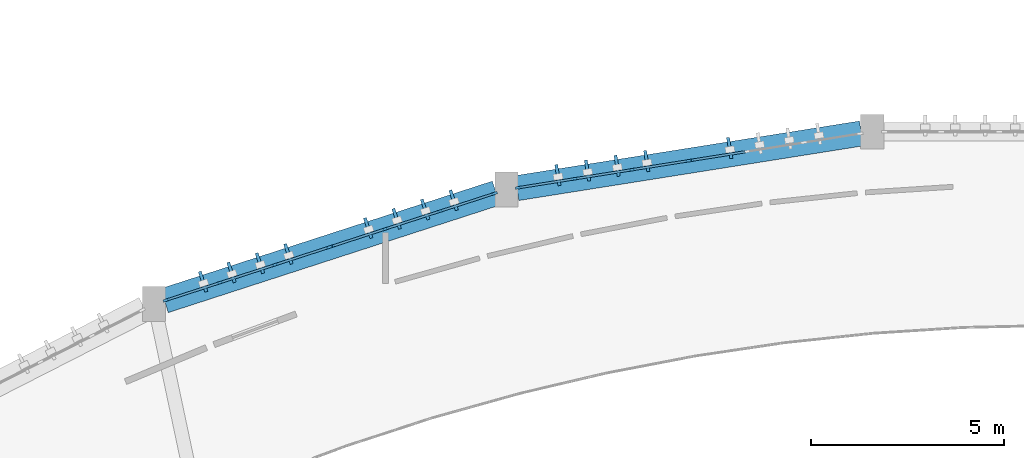
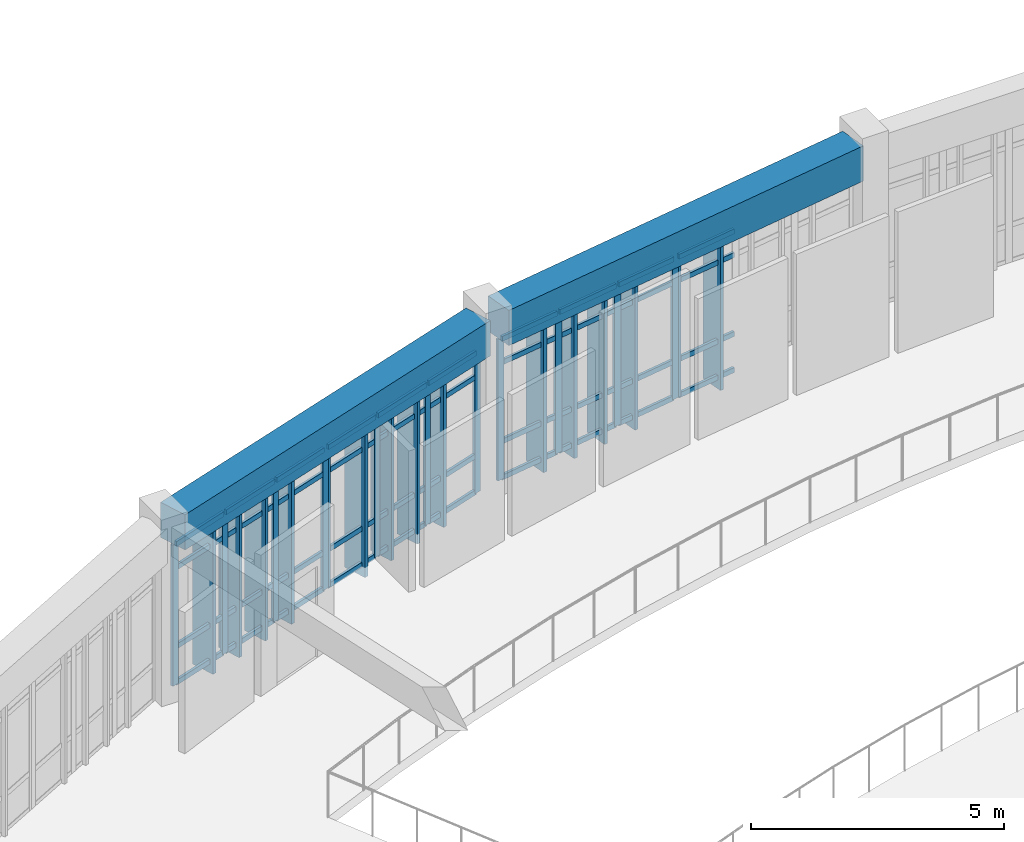
# One storey, part 19 of 57: 66 members, 2 beams, 4 elements without a shape of their own.
"""IFC4 building model written with IfcOpenShell, lengths in metres."""

from ifc_helpers import new_model, si_unit, direction, frame, origin, origin_2d, place, context, subcontext, project, spatial, rectangle, extrude, material, layer, layer_set, material_profile, profile_set, type_object, element, aggregate, save


model = new_model("IFC4")

# Units and contexts
model_context = context("Model", 3, precision=1e-05, world=origin(), true_north=direction((0.0, 1.0)))
body_context = subcontext(model_context, "Body", "Model", "MODEL_VIEW")
ifc_project = project(units=[si_unit("LENGTHUNIT", "METRE"), si_unit("AREAUNIT", "SQUARE_METRE"), si_unit("VOLUMEUNIT", "CUBIC_METRE"), si_unit("PLANEANGLEUNIT", "RADIAN"), si_unit("MASSUNIT", "GRAM", prefix="KILO")], contexts=[model_context])

# Site, building, storey
site_placement = place(None, origin())
site = spatial("IfcSite", under=ifc_project, at=site_placement, CompositionType="ELEMENT")
building_placement = place(site_placement, origin())
building = spatial("IfcBuilding", under=site, at=building_placement, Name="Miralva Faculty of Natural Sciences", CompositionType="ELEMENT")
storey_placement = place(building_placement, frame((0.0, 0.0, 15.0)))
storey = spatial("IfcBuildingStorey", under=building, at=storey_placement, Name="L03", CompositionType="ELEMENT", Elevation=15.0)

# Beams
ifc_material_1 = material(Name="Concrete C40/50", Category="concrete")
ifc_material_profile_1 = material_profile(ifc_material_1, rectangle(XDim=0.64990234375, YDim=0.85009765625, at=origin_2d()), Name="RC 650x850")
ifc_profile_set_1 = profile_set([ifc_material_profile_1], Name="Concrete C40/50")
beam_type = type_object("IfcBeamType", Name="BM-SP03", PredefinedType="SPANDREL", material=ifc_profile_set_1)
beam_1_placement = place(storey_placement, frame((84.9375, 39.7666015625, 3.8349609375), z_axis=(-0.987637724409, -0.156753709124, 0.0), x_axis=(0.156753709124, -0.987637724409, 0.0)))
element("IfcBeam", 1, at=beam_1_placement, inside=storey, type_object=beam_type, Name="Curved chord girder SHOUT L03-6", PredefinedType="SPANDREL", context=body_context, shape_type="SweptSolid", body=[
    extrude(rectangle(XDim=0.64990234375, YDim=0.85009765625, at=origin_2d()), origin(), (0.0, 0.0, 1.0), 9.016357421875),
])
beam_2_placement = place(storey_placement, frame((75.49755859375, 38.224853515625, 3.8349609375), z_axis=(-0.951264483171, -0.30837620378, 0.0), x_axis=(0.30837620378, -0.951264483171, 0.0)))
element("IfcBeam", 2, at=beam_2_placement, inside=storey, type_object=beam_type, Name="Curved chord girder SHOUT L03-7", PredefinedType="SPANDREL", context=body_context, shape_type="SweptSolid", body=[
    extrude(rectangle(XDim=0.64990234375, YDim=0.85009765625, at=origin_2d()), origin(), (0.0, 0.0, 1.0), 9.01416015625),
])

# Curtain wall, members
ifc_material_2 = material(Name="Laminated solar-control glass", Category="glass")
ifc_layer = layer(ifc_material_2, 0.179931640625, Name="CW-ARC-L03")
ifc_layer_set = layer_set([ifc_layer], Name="Laminated solar-control glass")
curtain_wall_type = type_object("IfcCurtainWallType", Name="CW-ARC-L03", PredefinedType="USERDEFINED", material=ifc_layer_set)
curtain_wall_1_placement = place(storey_placement, origin())
curtain_wall_1 = element("IfcCurtainWall", 3, at=curtain_wall_1_placement, inside=storey, type_object=curtain_wall_type, Name="Curtain wall CW-03 L03-129", ObjectType="UNITISED CURTAIN WALL", PredefinedType="USERDEFINED")
ifc_material_3 = material(Name="Anodised aluminium", Category="aluminium")
ifc_material_profile_2 = material_profile(ifc_material_3, rectangle(XDim=0.06494140625, YDim=0.159912109375, at=origin_2d()), Name="MULLION 65x160")
ifc_profile_set_2 = profile_set([ifc_material_profile_2], Name="Anodised aluminium")
member_type_1 = type_object("IfcMemberType", Name="CW-M02", PredefinedType="MULLION", material=ifc_profile_set_2)
member_1_placement = place(storey_placement, frame((66.9677734375, 35.457763671875, 0.0), z_axis=(0.0, 0.0, 1.0), x_axis=(-0.309011053363, 0.951058446626, 0.0)))
member_1 = element("IfcMember", 4, at=member_1_placement, type_object=member_type_1, Name="CW-03 mullion 1", PredefinedType="MULLION", context=body_context, shape_type="SweptSolid", body=[
    extrude(rectangle(XDim=0.06494140625, YDim=0.159912109375, at=origin_2d()), origin(), (0.0, 0.0, 1.0), 3.405029296875),
])
member_2_placement = place(storey_placement, frame((68.360595703125, 35.910400390625, 0.0), z_axis=(0.0, 0.0, 1.0), x_axis=(-0.309011053363, 0.951058446626, 0.0)))
member_2 = element("IfcMember", 5, at=member_2_placement, type_object=member_type_1, Name="CW-03 mullion 2", PredefinedType="MULLION", context=body_context, shape_type="SweptSolid", body=[
    extrude(rectangle(XDim=0.06494140625, YDim=0.159912109375, at=origin_2d()), origin(), (0.0, 0.0, 1.0), 3.405029296875),
])
member_3_placement = place(storey_placement, frame((69.784423828125, 36.373046875, 0.0), z_axis=(0.0, 0.0, 1.0), x_axis=(-0.309011053363, 0.951058446626, 0.0)))
member_3 = element("IfcMember", 6, at=member_3_placement, type_object=member_type_1, Name="CW-03 mullion 3", PredefinedType="MULLION", context=body_context, shape_type="SweptSolid", body=[
    extrude(rectangle(XDim=0.06494140625, YDim=0.159912109375, at=origin_2d()), origin(), (0.0, 0.0, 1.0), 3.405029296875),
])
member_4_placement = place(storey_placement, frame((71.17724609375, 36.825439453125, 0.0), z_axis=(0.0, 0.0, 1.0), x_axis=(-0.309011053363, 0.951058446626, 0.0)))
member_4 = element("IfcMember", 7, at=member_4_placement, type_object=member_type_1, Name="CW-03 mullion 4", PredefinedType="MULLION", context=body_context, shape_type="SweptSolid", body=[
    extrude(rectangle(XDim=0.06494140625, YDim=0.159912109375, at=origin_2d()), origin(), (0.0, 0.0, 1.0), 3.405029296875),
])

curtain_wall_2_placement = place(storey_placement, origin())
curtain_wall_2 = element("IfcCurtainWall", 8, at=curtain_wall_2_placement, inside=storey, type_object=curtain_wall_type, Name="Curtain wall CW-03 L03-130", ObjectType="UNITISED CURTAIN WALL", PredefinedType="USERDEFINED")
member_5_placement = place(storey_placement, frame((71.234130859375, 36.84423828125, 0.0), z_axis=(0.0, 0.0, 1.0), x_axis=(-0.309005603375, 0.95106021738, 0.0)))
member_5 = element("IfcMember", 9, at=member_5_placement, type_object=member_type_1, Name="CW-03 mullion 1", PredefinedType="MULLION", context=body_context, shape_type="SweptSolid", body=[
    extrude(rectangle(XDim=0.06494140625, YDim=0.159912109375, at=origin_2d()), origin(), (0.0, 0.0, 1.0), 3.405029296875),
])
member_6_placement = place(storey_placement, frame((72.628662109375, 37.297119140625, 0.0), z_axis=(0.0, 0.0, 1.0), x_axis=(-0.309005603375, 0.95106021738, 0.0)))
member_6 = element("IfcMember", 10, at=member_6_placement, type_object=member_type_1, Name="CW-03 mullion 2", PredefinedType="MULLION", context=body_context, shape_type="SweptSolid", body=[
    extrude(rectangle(XDim=0.06494140625, YDim=0.159912109375, at=origin_2d()), origin(), (0.0, 0.0, 1.0), 3.405029296875),
])
member_7_placement = place(storey_placement, frame((74.053955078125, 37.76025390625, 0.0), z_axis=(0.0, 0.0, 1.0), x_axis=(-0.309005603375, 0.95106021738, 0.0)))
member_7 = element("IfcMember", 11, at=member_7_placement, type_object=member_type_1, Name="CW-03 mullion 3", PredefinedType="MULLION", context=body_context, shape_type="SweptSolid", body=[
    extrude(rectangle(XDim=0.06494140625, YDim=0.159912109375, at=origin_2d()), origin(), (0.0, 0.0, 1.0), 3.405029296875),
])
member_8_placement = place(storey_placement, frame((75.448486328125, 38.21337890625, 0.0), z_axis=(0.0, 0.0, 1.0), x_axis=(-0.309005603375, 0.95106021738, 0.0)))
member_8 = element("IfcMember", 12, at=member_8_placement, type_object=member_type_1, Name="CW-03 mullion 4", PredefinedType="MULLION", context=body_context, shape_type="SweptSolid", body=[
    extrude(rectangle(XDim=0.06494140625, YDim=0.159912109375, at=origin_2d()), origin(), (0.0, 0.0, 1.0), 3.405029296875),
])

curtain_wall_3_placement = place(storey_placement, origin())
curtain_wall_3 = element("IfcCurtainWall", 13, at=curtain_wall_3_placement, inside=storey, type_object=curtain_wall_type, Name="Curtain wall CW-03 L03-131", ObjectType="UNITISED CURTAIN WALL", PredefinedType="USERDEFINED")
member_9_placement = place(storey_placement, frame((76.073486328125, 38.3642578125, 0.0), z_axis=(0.0, 0.0, 1.0), x_axis=(-0.156431459367, 0.987688816642, 0.0)))
member_9 = element("IfcMember", 14, at=member_9_placement, type_object=member_type_1, Name="CW-03 mullion 1", PredefinedType="MULLION", context=body_context, shape_type="SweptSolid", body=[
    extrude(rectangle(XDim=0.06494140625, YDim=0.159912109375, at=origin_2d()), origin(), (0.0, 0.0, 1.0), 3.405029296875),
])
member_10_placement = place(storey_placement, frame((77.523193359375, 38.593994140625, 0.0), z_axis=(0.0, 0.0, 1.0), x_axis=(-0.156431459367, 0.987688816642, 0.0)))
member_10 = element("IfcMember", 15, at=member_10_placement, type_object=member_type_1, Name="CW-03 mullion 2", PredefinedType="MULLION", context=body_context, shape_type="SweptSolid", body=[
    extrude(rectangle(XDim=0.06494140625, YDim=0.159912109375, at=origin_2d()), origin(), (0.0, 0.0, 1.0), 3.405029296875),
])
member_11_placement = place(storey_placement, frame((79.005126953125, 38.82861328125, 0.0), z_axis=(0.0, 0.0, 1.0), x_axis=(-0.156431459367, 0.987688816642, 0.0)))
member_11 = element("IfcMember", 16, at=member_11_placement, type_object=member_type_1, Name="CW-03 mullion 3", PredefinedType="MULLION", context=body_context, shape_type="SweptSolid", body=[
    extrude(rectangle(XDim=0.06494140625, YDim=0.159912109375, at=origin_2d()), origin(), (0.0, 0.0, 1.0), 3.405029296875),
])
member_12_placement = place(storey_placement, frame((80.454833984375, 39.05810546875, 0.0), z_axis=(0.0, 0.0, 1.0), x_axis=(-0.156431459367, 0.987688816642, 0.0)))
member_12 = element("IfcMember", 17, at=member_12_placement, type_object=member_type_1, Name="CW-03 mullion 4", PredefinedType="MULLION", context=body_context, shape_type="SweptSolid", body=[
    extrude(rectangle(XDim=0.06494140625, YDim=0.159912109375, at=origin_2d()), origin(), (0.0, 0.0, 1.0), 3.405029296875),
])

# Curtain wall, member
curtain_wall_4_placement = place(storey_placement, origin())
curtain_wall_4 = element("IfcCurtainWall", 18, at=curtain_wall_4_placement, inside=storey, type_object=curtain_wall_type, Name="Curtain wall CW-03 L03-132", ObjectType="UNITISED CURTAIN WALL", PredefinedType="USERDEFINED")
member_13_placement = place(storey_placement, frame((80.51416015625, 39.067626953125, 0.0), z_axis=(0.0, 0.0, 1.0), x_axis=(-0.156414990722, 0.987691424827, 0.0)))
member_13 = element("IfcMember", 19, at=member_13_placement, type_object=member_type_1, Name="CW-03 mullion 1", PredefinedType="MULLION", context=body_context, shape_type="SweptSolid", body=[
    extrude(rectangle(XDim=0.06494140625, YDim=0.159912109375, at=origin_2d()), origin(), (0.0, 0.0, 1.0), 3.405029296875),
])

# Member
ifc_material_profile_3 = material_profile(ifc_material_3, rectangle(XDim=0.06005859375, YDim=0.1201171875, at=origin_2d()), Name="TRANSOM 60x120")
ifc_profile_set_3 = profile_set([ifc_material_profile_3], Name="Anodised aluminium")
member_type_2 = type_object("IfcMemberType", Name="CW-T02", PredefinedType="USERDEFINED", material=ifc_profile_set_3)
member_14_placement = place(storey_placement, frame((66.99853515625, 35.4677734375, 0.030029296875), z_axis=(0.951028941009, 0.309101849499, 0.0), x_axis=(-0.309101849499, 0.951028941009, 0.0)))
member_14 = element("IfcMember", 20, at=member_14_placement, type_object=member_type_2, Name="CW-03 transom 1.1", ObjectType="TRANSOM", PredefinedType="USERDEFINED", context=body_context, shape_type="SweptSolid", body=[
    extrude(rectangle(XDim=0.06005859375, YDim=0.1201171875, at=origin_2d()), origin(), (0.0, 0.0, 1.0), 1.399658203125),
])

member_15_placement = place(storey_placement, frame((66.99853515625, 35.4677734375, 0.89990234375), z_axis=(0.951028941009, 0.309101849499, 0.0), x_axis=(-0.309101849499, 0.951028941009, 0.0)))
member_15 = element("IfcMember", 21, at=member_15_placement, type_object=member_type_2, Name="CW-03 transom 1.2", ObjectType="TRANSOM", PredefinedType="USERDEFINED", context=body_context, shape_type="SweptSolid", body=[
    extrude(rectangle(XDim=0.06005859375, YDim=0.1201171875, at=origin_2d()), origin(), (0.0, 0.0, 1.0), 1.399658203125),
])

member_16_placement = place(storey_placement, frame((66.99853515625, 35.4677734375, 2.804931640625), z_axis=(0.951028941009, 0.309101849499, 0.0), x_axis=(-0.309101849499, 0.951028941009, 0.0)))
member_16 = element("IfcMember", 22, at=member_16_placement, type_object=member_type_2, Name="CW-03 transom 1.3", ObjectType="TRANSOM", PredefinedType="USERDEFINED", context=body_context, shape_type="SweptSolid", body=[
    extrude(rectangle(XDim=0.06005859375, YDim=0.1201171875, at=origin_2d()), origin(), (0.0, 0.0, 1.0), 1.399658203125),
])

member_17_placement = place(storey_placement, frame((66.99853515625, 35.4677734375, 3.375), z_axis=(0.951028941009, 0.309101849499, 0.0), x_axis=(-0.309101849499, 0.951028941009, 0.0)))
member_17 = element("IfcMember", 23, at=member_17_placement, type_object=member_type_2, Name="CW-03 transom 1.4", ObjectType="TRANSOM", PredefinedType="USERDEFINED", context=body_context, shape_type="SweptSolid", body=[
    extrude(rectangle(XDim=0.06005859375, YDim=0.1201171875, at=origin_2d()), origin(), (0.0, 0.0, 1.0), 1.399658203125),
])

member_18_placement = place(storey_placement, frame((68.391357421875, 35.92041015625, 0.030029296875), z_axis=(0.951042837494, 0.309059090227, 0.0), x_axis=(-0.309059090227, 0.951042837494, 0.0)))
member_18 = element("IfcMember", 24, at=member_18_placement, type_object=member_type_2, Name="CW-03 transom 2.1", ObjectType="TRANSOM", PredefinedType="USERDEFINED", context=body_context, shape_type="SweptSolid", body=[
    extrude(rectangle(XDim=0.06005859375, YDim=0.1201171875, at=origin_2d()), origin(), (0.0, 0.0, 1.0), 1.43212890625),
])

member_19_placement = place(storey_placement, frame((68.391357421875, 35.92041015625, 0.89990234375), z_axis=(0.951042837494, 0.309059090227, 0.0), x_axis=(-0.309059090227, 0.951042837494, 0.0)))
member_19 = element("IfcMember", 25, at=member_19_placement, type_object=member_type_2, Name="CW-03 transom 2.2", ObjectType="TRANSOM", PredefinedType="USERDEFINED", context=body_context, shape_type="SweptSolid", body=[
    extrude(rectangle(XDim=0.06005859375, YDim=0.1201171875, at=origin_2d()), origin(), (0.0, 0.0, 1.0), 1.43212890625),
])

member_20_placement = place(storey_placement, frame((68.391357421875, 35.92041015625, 2.804931640625), z_axis=(0.951042837494, 0.309059090227, 0.0), x_axis=(-0.309059090227, 0.951042837494, 0.0)))
member_20 = element("IfcMember", 26, at=member_20_placement, type_object=member_type_2, Name="CW-03 transom 2.3", ObjectType="TRANSOM", PredefinedType="USERDEFINED", context=body_context, shape_type="SweptSolid", body=[
    extrude(rectangle(XDim=0.06005859375, YDim=0.1201171875, at=origin_2d()), origin(), (0.0, 0.0, 1.0), 1.43212890625),
])

member_21_placement = place(storey_placement, frame((68.391357421875, 35.92041015625, 3.375), z_axis=(0.951042837494, 0.309059090227, 0.0), x_axis=(-0.309059090227, 0.951042837494, 0.0)))
member_21 = element("IfcMember", 27, at=member_21_placement, type_object=member_type_2, Name="CW-03 transom 2.4", ObjectType="TRANSOM", PredefinedType="USERDEFINED", context=body_context, shape_type="SweptSolid", body=[
    extrude(rectangle(XDim=0.06005859375, YDim=0.1201171875, at=origin_2d()), origin(), (0.0, 0.0, 1.0), 1.43212890625),
])

member_22_placement = place(storey_placement, frame((69.815185546875, 36.383056640625, 0.030029296875), z_axis=(0.951080208938, 0.308944066403, 0.0), x_axis=(-0.308944066403, 0.951080208938, 0.0)))
member_22 = element("IfcMember", 28, at=member_22_placement, type_object=member_type_2, Name="CW-03 transom 3.1", ObjectType="TRANSOM", PredefinedType="USERDEFINED", context=body_context, shape_type="SweptSolid", body=[
    extrude(rectangle(XDim=0.06005859375, YDim=0.1201171875, at=origin_2d()), origin(), (0.0, 0.0, 1.0), 1.3994140625),
])

member_23_placement = place(storey_placement, frame((69.815185546875, 36.383056640625, 0.89990234375), z_axis=(0.951080208938, 0.308944066403, 0.0), x_axis=(-0.308944066403, 0.951080208938, 0.0)))
member_23 = element("IfcMember", 29, at=member_23_placement, type_object=member_type_2, Name="CW-03 transom 3.2", ObjectType="TRANSOM", PredefinedType="USERDEFINED", context=body_context, shape_type="SweptSolid", body=[
    extrude(rectangle(XDim=0.06005859375, YDim=0.1201171875, at=origin_2d()), origin(), (0.0, 0.0, 1.0), 1.3994140625),
])

member_24_placement = place(storey_placement, frame((69.815185546875, 36.383056640625, 2.804931640625), z_axis=(0.951080208938, 0.308944066403, 0.0), x_axis=(-0.308944066403, 0.951080208938, 0.0)))
member_24 = element("IfcMember", 30, at=member_24_placement, type_object=member_type_2, Name="CW-03 transom 3.3", ObjectType="TRANSOM", PredefinedType="USERDEFINED", context=body_context, shape_type="SweptSolid", body=[
    extrude(rectangle(XDim=0.06005859375, YDim=0.1201171875, at=origin_2d()), origin(), (0.0, 0.0, 1.0), 1.3994140625),
])

member_25_placement = place(storey_placement, frame((69.815185546875, 36.383056640625, 3.375), z_axis=(0.951080208938, 0.308944066403, 0.0), x_axis=(-0.308944066403, 0.951080208938, 0.0)))
member_25 = element("IfcMember", 31, at=member_25_placement, type_object=member_type_2, Name="CW-03 transom 3.4", ObjectType="TRANSOM", PredefinedType="USERDEFINED", context=body_context, shape_type="SweptSolid", body=[
    extrude(rectangle(XDim=0.06005859375, YDim=0.1201171875, at=origin_2d()), origin(), (0.0, 0.0, 1.0), 1.3994140625),
])

aggregate(curtain_wall_1, [member_1, member_2, member_3, member_4, member_14, member_15, member_16, member_17, member_18, member_19, member_20, member_21, member_22, member_23, member_24, member_25])

member_26_placement = place(storey_placement, frame((71.26513671875, 36.854248046875, 0.030029296875), z_axis=(0.951077598136, 0.308952103608, 0.0), x_axis=(-0.308952103608, 0.951077598136, 0.0)))
member_26 = element("IfcMember", 32, at=member_26_placement, type_object=member_type_2, Name="CW-03 transom 1.1", ObjectType="TRANSOM", PredefinedType="USERDEFINED", context=body_context, shape_type="SweptSolid", body=[
    extrude(rectangle(XDim=0.06005859375, YDim=0.1201171875, at=origin_2d()), origin(), (0.0, 0.0, 1.0), 1.401123046875),
])

member_27_placement = place(storey_placement, frame((71.26513671875, 36.854248046875, 0.89990234375), z_axis=(0.951077598136, 0.308952103608, 0.0), x_axis=(-0.308952103608, 0.951077598136, 0.0)))
member_27 = element("IfcMember", 33, at=member_27_placement, type_object=member_type_2, Name="CW-03 transom 1.2", ObjectType="TRANSOM", PredefinedType="USERDEFINED", context=body_context, shape_type="SweptSolid", body=[
    extrude(rectangle(XDim=0.06005859375, YDim=0.1201171875, at=origin_2d()), origin(), (0.0, 0.0, 1.0), 1.401123046875),
])

member_28_placement = place(storey_placement, frame((71.26513671875, 36.854248046875, 2.804931640625), z_axis=(0.951077598136, 0.308952103608, 0.0), x_axis=(-0.308952103608, 0.951077598136, 0.0)))
member_28 = element("IfcMember", 34, at=member_28_placement, type_object=member_type_2, Name="CW-03 transom 1.3", ObjectType="TRANSOM", PredefinedType="USERDEFINED", context=body_context, shape_type="SweptSolid", body=[
    extrude(rectangle(XDim=0.06005859375, YDim=0.1201171875, at=origin_2d()), origin(), (0.0, 0.0, 1.0), 1.401123046875),
])

member_29_placement = place(storey_placement, frame((71.26513671875, 36.854248046875, 3.375), z_axis=(0.951077598136, 0.308952103608, 0.0), x_axis=(-0.308952103608, 0.951077598136, 0.0)))
member_29 = element("IfcMember", 35, at=member_29_placement, type_object=member_type_2, Name="CW-03 transom 1.4", ObjectType="TRANSOM", PredefinedType="USERDEFINED", context=body_context, shape_type="SweptSolid", body=[
    extrude(rectangle(XDim=0.06005859375, YDim=0.1201171875, at=origin_2d()), origin(), (0.0, 0.0, 1.0), 1.401123046875),
])

member_30_placement = place(storey_placement, frame((72.659423828125, 37.30712890625, 0.030029296875), z_axis=(0.951040325466, 0.309066820183, 0.0), x_axis=(-0.309066820183, 0.951040325466, 0.0)))
member_30 = element("IfcMember", 36, at=member_30_placement, type_object=member_type_2, Name="CW-03 transom 2.1", ObjectType="TRANSOM", PredefinedType="USERDEFINED", context=body_context, shape_type="SweptSolid", body=[
    extrude(rectangle(XDim=0.06005859375, YDim=0.1201171875, at=origin_2d()), origin(), (0.0, 0.0, 1.0), 1.433837890625),
])

member_31_placement = place(storey_placement, frame((72.659423828125, 37.30712890625, 0.89990234375), z_axis=(0.951040325466, 0.309066820183, 0.0), x_axis=(-0.309066820183, 0.951040325466, 0.0)))
member_31 = element("IfcMember", 37, at=member_31_placement, type_object=member_type_2, Name="CW-03 transom 2.2", ObjectType="TRANSOM", PredefinedType="USERDEFINED", context=body_context, shape_type="SweptSolid", body=[
    extrude(rectangle(XDim=0.06005859375, YDim=0.1201171875, at=origin_2d()), origin(), (0.0, 0.0, 1.0), 1.433837890625),
])

member_32_placement = place(storey_placement, frame((72.659423828125, 37.30712890625, 2.804931640625), z_axis=(0.951040325466, 0.309066820183, 0.0), x_axis=(-0.309066820183, 0.951040325466, 0.0)))
member_32 = element("IfcMember", 38, at=member_32_placement, type_object=member_type_2, Name="CW-03 transom 2.3", ObjectType="TRANSOM", PredefinedType="USERDEFINED", context=body_context, shape_type="SweptSolid", body=[
    extrude(rectangle(XDim=0.06005859375, YDim=0.1201171875, at=origin_2d()), origin(), (0.0, 0.0, 1.0), 1.433837890625),
])

member_33_placement = place(storey_placement, frame((72.659423828125, 37.30712890625, 3.375), z_axis=(0.951040325466, 0.309066820183, 0.0), x_axis=(-0.309066820183, 0.951040325466, 0.0)))
member_33 = element("IfcMember", 39, at=member_33_placement, type_object=member_type_2, Name="CW-03 transom 2.4", ObjectType="TRANSOM", PredefinedType="USERDEFINED", context=body_context, shape_type="SweptSolid", body=[
    extrude(rectangle(XDim=0.06005859375, YDim=0.1201171875, at=origin_2d()), origin(), (0.0, 0.0, 1.0), 1.433837890625),
])

member_34_placement = place(storey_placement, frame((74.0849609375, 37.770263671875, 0.030029296875), z_axis=(0.951026385526, 0.309109711968, 0.0), x_axis=(-0.309109711968, 0.951026385526, 0.0)))
member_34 = element("IfcMember", 40, at=member_34_placement, type_object=member_type_2, Name="CW-03 transom 3.1", ObjectType="TRANSOM", PredefinedType="USERDEFINED", context=body_context, shape_type="SweptSolid", body=[
    extrude(rectangle(XDim=0.06005859375, YDim=0.1201171875, at=origin_2d()), origin(), (0.0, 0.0, 1.0), 1.401123046875),
])

member_35_placement = place(storey_placement, frame((74.0849609375, 37.770263671875, 0.89990234375), z_axis=(0.951026385526, 0.309109711968, 0.0), x_axis=(-0.309109711968, 0.951026385526, 0.0)))
member_35 = element("IfcMember", 41, at=member_35_placement, type_object=member_type_2, Name="CW-03 transom 3.2", ObjectType="TRANSOM", PredefinedType="USERDEFINED", context=body_context, shape_type="SweptSolid", body=[
    extrude(rectangle(XDim=0.06005859375, YDim=0.1201171875, at=origin_2d()), origin(), (0.0, 0.0, 1.0), 1.401123046875),
])

member_36_placement = place(storey_placement, frame((74.0849609375, 37.770263671875, 2.804931640625), z_axis=(0.951026385526, 0.309109711968, 0.0), x_axis=(-0.309109711968, 0.951026385526, 0.0)))
member_36 = element("IfcMember", 42, at=member_36_placement, type_object=member_type_2, Name="CW-03 transom 3.3", ObjectType="TRANSOM", PredefinedType="USERDEFINED", context=body_context, shape_type="SweptSolid", body=[
    extrude(rectangle(XDim=0.06005859375, YDim=0.1201171875, at=origin_2d()), origin(), (0.0, 0.0, 1.0), 1.401123046875),
])

member_37_placement = place(storey_placement, frame((74.0849609375, 37.770263671875, 3.375), z_axis=(0.951026385526, 0.309109711968, 0.0), x_axis=(-0.309109711968, 0.951026385526, 0.0)))
member_37 = element("IfcMember", 43, at=member_37_placement, type_object=member_type_2, Name="CW-03 transom 3.4", ObjectType="TRANSOM", PredefinedType="USERDEFINED", context=body_context, shape_type="SweptSolid", body=[
    extrude(rectangle(XDim=0.06005859375, YDim=0.1201171875, at=origin_2d()), origin(), (0.0, 0.0, 1.0), 1.401123046875),
])

aggregate(curtain_wall_2, [member_5, member_6, member_7, member_8, member_26, member_27, member_28, member_29, member_30, member_31, member_32, member_33, member_34, member_35, member_36, member_37])

member_38_placement = place(storey_placement, frame((76.10546875, 38.369384765625, 0.030029296875), z_axis=(0.987683814422, 0.1564630395, 0.0), x_axis=(-0.1564630395, 0.987683814422, 0.0)))
member_38 = element("IfcMember", 44, at=member_38_placement, type_object=member_type_2, Name="CW-03 transom 1.1", ObjectType="TRANSOM", PredefinedType="USERDEFINED", context=body_context, shape_type="SweptSolid", body=[
    extrude(rectangle(XDim=0.06005859375, YDim=0.1201171875, at=origin_2d()), origin(), (0.0, 0.0, 1.0), 1.40283203125),
])

member_39_placement = place(storey_placement, frame((76.10546875, 38.369384765625, 0.89990234375), z_axis=(0.987683814422, 0.1564630395, 0.0), x_axis=(-0.1564630395, 0.987683814422, 0.0)))
member_39 = element("IfcMember", 45, at=member_39_placement, type_object=member_type_2, Name="CW-03 transom 1.2", ObjectType="TRANSOM", PredefinedType="USERDEFINED", context=body_context, shape_type="SweptSolid", body=[
    extrude(rectangle(XDim=0.06005859375, YDim=0.1201171875, at=origin_2d()), origin(), (0.0, 0.0, 1.0), 1.40283203125),
])

member_40_placement = place(storey_placement, frame((76.10546875, 38.369384765625, 2.804931640625), z_axis=(0.987683814422, 0.1564630395, 0.0), x_axis=(-0.1564630395, 0.987683814422, 0.0)))
member_40 = element("IfcMember", 46, at=member_40_placement, type_object=member_type_2, Name="CW-03 transom 1.3", ObjectType="TRANSOM", PredefinedType="USERDEFINED", context=body_context, shape_type="SweptSolid", body=[
    extrude(rectangle(XDim=0.06005859375, YDim=0.1201171875, at=origin_2d()), origin(), (0.0, 0.0, 1.0), 1.40283203125),
])

member_41_placement = place(storey_placement, frame((76.10546875, 38.369384765625, 3.375), z_axis=(0.987683814422, 0.1564630395, 0.0), x_axis=(-0.1564630395, 0.987683814422, 0.0)))
member_41 = element("IfcMember", 47, at=member_41_placement, type_object=member_type_2, Name="CW-03 transom 1.4", ObjectType="TRANSOM", PredefinedType="USERDEFINED", context=body_context, shape_type="SweptSolid", body=[
    extrude(rectangle(XDim=0.06005859375, YDim=0.1201171875, at=origin_2d()), origin(), (0.0, 0.0, 1.0), 1.40283203125),
])

member_42_placement = place(storey_placement, frame((77.55517578125, 38.598876953125, 0.030029296875), z_axis=(0.987681466101, 0.15647786272, 0.0), x_axis=(-0.15647786272, 0.987681466101, 0.0)))
member_42 = element("IfcMember", 48, at=member_42_placement, type_object=member_type_2, Name="CW-03 transom 2.1", ObjectType="TRANSOM", PredefinedType="USERDEFINED", context=body_context, shape_type="SweptSolid", body=[
    extrude(rectangle(XDim=0.06005859375, YDim=0.1201171875, at=origin_2d()), origin(), (0.0, 0.0, 1.0), 1.435302734375),
])

member_43_placement = place(storey_placement, frame((77.55517578125, 38.598876953125, 0.89990234375), z_axis=(0.987681466101, 0.15647786272, 0.0), x_axis=(-0.15647786272, 0.987681466101, 0.0)))
member_43 = element("IfcMember", 49, at=member_43_placement, type_object=member_type_2, Name="CW-03 transom 2.2", ObjectType="TRANSOM", PredefinedType="USERDEFINED", context=body_context, shape_type="SweptSolid", body=[
    extrude(rectangle(XDim=0.06005859375, YDim=0.1201171875, at=origin_2d()), origin(), (0.0, 0.0, 1.0), 1.435302734375),
])

member_44_placement = place(storey_placement, frame((77.55517578125, 38.598876953125, 2.804931640625), z_axis=(0.987681466101, 0.15647786272, 0.0), x_axis=(-0.15647786272, 0.987681466101, 0.0)))
member_44 = element("IfcMember", 50, at=member_44_placement, type_object=member_type_2, Name="CW-03 transom 2.3", ObjectType="TRANSOM", PredefinedType="USERDEFINED", context=body_context, shape_type="SweptSolid", body=[
    extrude(rectangle(XDim=0.06005859375, YDim=0.1201171875, at=origin_2d()), origin(), (0.0, 0.0, 1.0), 1.435302734375),
])

member_45_placement = place(storey_placement, frame((77.55517578125, 38.598876953125, 3.375), z_axis=(0.987681466101, 0.15647786272, 0.0), x_axis=(-0.15647786272, 0.987681466101, 0.0)))
member_45 = element("IfcMember", 51, at=member_45_placement, type_object=member_type_2, Name="CW-03 transom 2.4", ObjectType="TRANSOM", PredefinedType="USERDEFINED", context=body_context, shape_type="SweptSolid", body=[
    extrude(rectangle(XDim=0.06005859375, YDim=0.1201171875, at=origin_2d()), origin(), (0.0, 0.0, 1.0), 1.435302734375),
])

member_46_placement = place(storey_placement, frame((79.037109375, 38.833740234375, 0.030029296875), z_axis=(0.987683814422, 0.1564630395, 0.0), x_axis=(-0.1564630395, 0.987683814422, 0.0)))
member_46 = element("IfcMember", 52, at=member_46_placement, type_object=member_type_2, Name="CW-03 transom 3.1", ObjectType="TRANSOM", PredefinedType="USERDEFINED", context=body_context, shape_type="SweptSolid", body=[
    extrude(rectangle(XDim=0.06005859375, YDim=0.1201171875, at=origin_2d()), origin(), (0.0, 0.0, 1.0), 1.40283203125),
])

member_47_placement = place(storey_placement, frame((79.037109375, 38.833740234375, 0.89990234375), z_axis=(0.987683814422, 0.1564630395, 0.0), x_axis=(-0.1564630395, 0.987683814422, 0.0)))
member_47 = element("IfcMember", 53, at=member_47_placement, type_object=member_type_2, Name="CW-03 transom 3.2", ObjectType="TRANSOM", PredefinedType="USERDEFINED", context=body_context, shape_type="SweptSolid", body=[
    extrude(rectangle(XDim=0.06005859375, YDim=0.1201171875, at=origin_2d()), origin(), (0.0, 0.0, 1.0), 1.40283203125),
])

member_48_placement = place(storey_placement, frame((79.037109375, 38.833740234375, 2.804931640625), z_axis=(0.987683814422, 0.1564630395, 0.0), x_axis=(-0.1564630395, 0.987683814422, 0.0)))
member_48 = element("IfcMember", 54, at=member_48_placement, type_object=member_type_2, Name="CW-03 transom 3.3", ObjectType="TRANSOM", PredefinedType="USERDEFINED", context=body_context, shape_type="SweptSolid", body=[
    extrude(rectangle(XDim=0.06005859375, YDim=0.1201171875, at=origin_2d()), origin(), (0.0, 0.0, 1.0), 1.40283203125),
])

member_49_placement = place(storey_placement, frame((79.037109375, 38.833740234375, 3.375), z_axis=(0.987683814422, 0.1564630395, 0.0), x_axis=(-0.1564630395, 0.987683814422, 0.0)))
member_49 = element("IfcMember", 55, at=member_49_placement, type_object=member_type_2, Name="CW-03 transom 3.4", ObjectType="TRANSOM", PredefinedType="USERDEFINED", context=body_context, shape_type="SweptSolid", body=[
    extrude(rectangle(XDim=0.06005859375, YDim=0.1201171875, at=origin_2d()), origin(), (0.0, 0.0, 1.0), 1.40283203125),
])

aggregate(curtain_wall_3, [member_9, member_10, member_11, member_12, member_38, member_39, member_40, member_41, member_42, member_43, member_44, member_45, member_46, member_47, member_48, member_49])

member_50_placement = place(storey_placement, frame((80.546142578125, 39.07275390625, 0.030029296875), z_axis=(0.987713585208, 0.156274993506, 0.0), x_axis=(-0.156274993506, 0.987713585208, 0.0)))
member_50 = element("IfcMember", 56, at=member_50_placement, type_object=member_type_2, Name="CW-03 transom 1.1", ObjectType="TRANSOM", PredefinedType="USERDEFINED", context=body_context, shape_type="SweptSolid", body=[
    extrude(rectangle(XDim=0.06005859375, YDim=0.1201171875, at=origin_2d()), origin(), (0.0, 0.0, 1.0), 1.404541015625),
])

member_51_placement = place(storey_placement, frame((80.546142578125, 39.07275390625, 0.89990234375), z_axis=(0.987713585208, 0.156274993506, 0.0), x_axis=(-0.156274993506, 0.987713585208, 0.0)))
member_51 = element("IfcMember", 57, at=member_51_placement, type_object=member_type_2, Name="CW-03 transom 1.2", ObjectType="TRANSOM", PredefinedType="USERDEFINED", context=body_context, shape_type="SweptSolid", body=[
    extrude(rectangle(XDim=0.06005859375, YDim=0.1201171875, at=origin_2d()), origin(), (0.0, 0.0, 1.0), 1.404541015625),
])

member_52_placement = place(storey_placement, frame((80.546142578125, 39.07275390625, 2.804931640625), z_axis=(0.987713585208, 0.156274993506, 0.0), x_axis=(-0.156274993506, 0.987713585208, 0.0)))
member_52 = element("IfcMember", 58, at=member_52_placement, type_object=member_type_2, Name="CW-03 transom 1.3", ObjectType="TRANSOM", PredefinedType="USERDEFINED", context=body_context, shape_type="SweptSolid", body=[
    extrude(rectangle(XDim=0.06005859375, YDim=0.1201171875, at=origin_2d()), origin(), (0.0, 0.0, 1.0), 1.404541015625),
])

member_53_placement = place(storey_placement, frame((80.546142578125, 39.07275390625, 3.375), z_axis=(0.987713585208, 0.156274993506, 0.0), x_axis=(-0.156274993506, 0.987713585208, 0.0)))
member_53 = element("IfcMember", 59, at=member_53_placement, type_object=member_type_2, Name="CW-03 transom 1.4", ObjectType="TRANSOM", PredefinedType="USERDEFINED", context=body_context, shape_type="SweptSolid", body=[
    extrude(rectangle(XDim=0.06005859375, YDim=0.1201171875, at=origin_2d()), origin(), (0.0, 0.0, 1.0), 1.404541015625),
])

aggregate(curtain_wall_4, [member_13, member_50, member_51, member_52, member_53])

# Members
ifc_material_profile_4 = material_profile(ifc_material_3, rectangle(XDim=0.080078125, YDim=0.550048828125, at=origin_2d()), Name="FIN 550x80")
ifc_profile_set_4 = profile_set([ifc_material_profile_4], Name="Anodised aluminium")
member_type_3 = type_object("IfcMemberType", Name="MEM-SF01", PredefinedType="USERDEFINED", material=ifc_profile_set_4)
for number, where, z_axis, x_axis, name in (
    (60, (67.920654296875, 35.935791015625, -0.239990234375), (0.0, 0.0, 1.0), (-0.951056516295, -0.309016994375, 0.0), "Solar shading fin SF-01 L03-93"),
    (61, (68.655517578125, 36.174560546875, -0.239990234375), (0.0, 0.0, 1.0), (-0.951056516295, -0.309016994375, 0.0), "Solar shading fin SF-01 L03-94"),
    (62, (69.390380859375, 36.413330078125, -0.239990234375), (0.0, 0.0, 1.0), (-0.951056516295, -0.309016994375, 0.0), "Solar shading fin SF-01 L03-95"),
    (63, (70.12548828125, 36.652099609375, -0.239990234375), (0.0, 0.0, 1.0), (-0.951056516295, -0.309016994375, 0.0), "Solar shading fin SF-01 L03-96"),
    (64, (72.187744140625, 37.322265625, -0.239990234375), (0.0, 0.0, 1.0), (-0.951056516295, -0.309016994375, 0.0), "Solar shading fin SF-01 L03-97"),
    (65, (72.923828125, 37.561279296875, -0.239990234375), (0.0, 0.0, 1.0), (-0.951056516295, -0.309016994375, 0.0), "Solar shading fin SF-01 L03-98"),
    (66, (73.659912109375, 37.800537109375, -0.239990234375), (0.0, 0.0, 1.0), (-0.951056516295, -0.309016994375, 0.0), "Solar shading fin SF-01 L03-99"),
    (67, (74.39599609375, 38.039794921875, -0.239990234375), (0.0, 0.0, 1.0), (-0.951056516295, -0.309016994375, 0.0), "Solar shading fin SF-01 L03-100"),
    (68, (77.090576171875, 38.6875, -0.239990234375), (0.0, 0.0, 1.0), (-0.987688340595, -0.15643446504, 0.0), "Solar shading fin SF-01 L03-101"),
    (69, (77.856201171875, 38.80859375, -0.239990234375), (0.0, 0.0, 1.0), (-0.987688340595, -0.15643446504, 0.0), "Solar shading fin SF-01 L03-102"),
    (70, (78.621826171875, 38.929931640625, -0.239990234375), (0.0, 0.0, 1.0), (-0.987688340595, -0.15643446504, 0.0), "Solar shading fin SF-01 L03-103"),
    (71, (79.3876953125, 39.05126953125, -0.239990234375), (0.0, 0.0, 1.0), (-0.987688340595, -0.15643446504, 0.0), "Solar shading fin SF-01 L03-104"),
    (72, (81.53173828125, 39.390625, -0.239990234375), (0.0, 0.0, 1.0), (-0.987688340595, -0.15643446504, 0.0), "Solar shading fin SF-01 L03-105"),
):
    element("IfcMember", number, at=place(storey_placement, frame(where, z_axis=z_axis, x_axis=x_axis)), inside=storey, type_object=member_type_3, Name=name, ObjectType="SUNSHADE", PredefinedType="USERDEFINED", context=body_context, shape_type="SweptSolid", body=[
        extrude(rectangle(XDim=0.080078125, YDim=0.550048828125, at=origin_2d()), origin(), (0.0, 0.0, 1.0), 3.64501953125),
    ])

save(model, "model.ifc")
